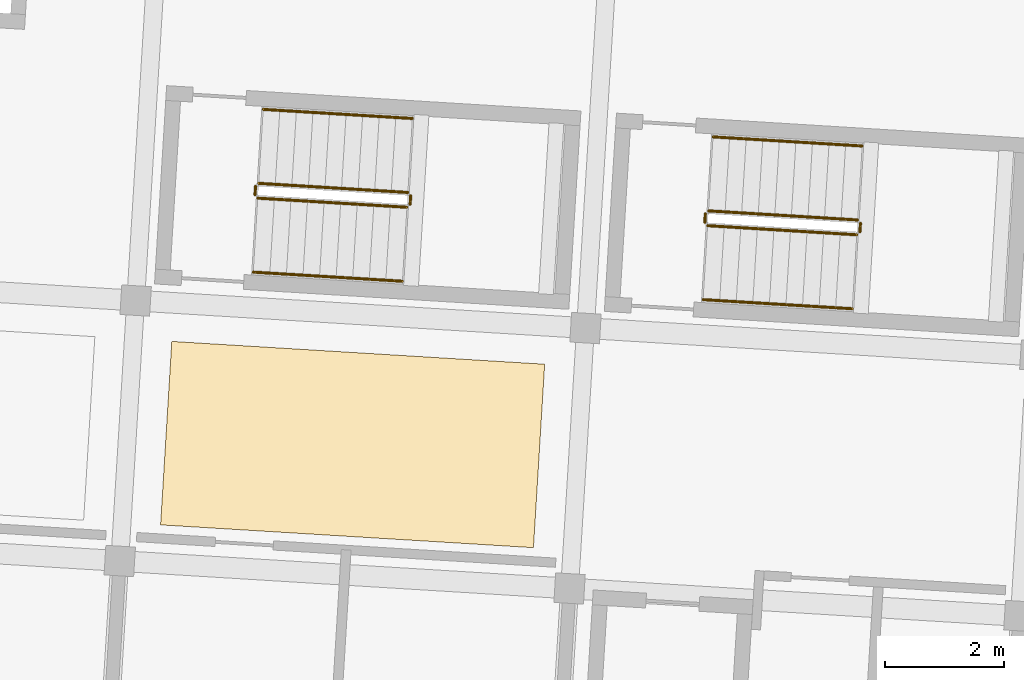
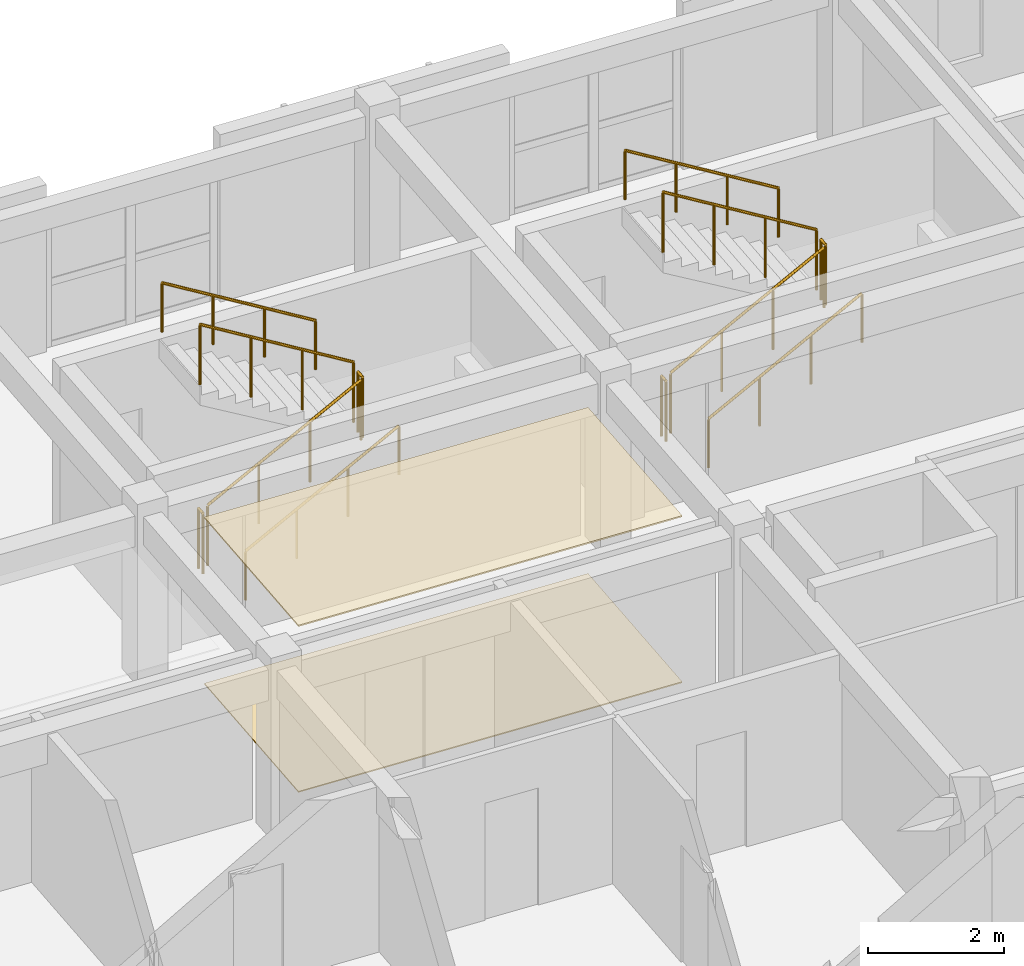
# One storey, part 100 of 127: 12 railings, 2 coverings.
"""IFC4 building model written with IfcOpenShell, lengths in metres."""

from ifc_helpers import new_model, si_unit, direction, frame, origin, origin_2d, place, context, subcontext, project, spatial, polyline, circle, outline, extrude, material, layer, layer_set, type_object, element, save


model = new_model("IFC4")

# Units and contexts
model_context = context("Model", 3, precision=1e-05, world=origin(), true_north=direction((0.0, 1.0)))
body_context = subcontext(model_context, "Body", "Model", "MODEL_VIEW")
ifc_project = project(units=[si_unit("LENGTHUNIT", "METRE"), si_unit("AREAUNIT", "SQUARE_METRE"), si_unit("VOLUMEUNIT", "CUBIC_METRE"), si_unit("PLANEANGLEUNIT", "RADIAN"), si_unit("MASSUNIT", "GRAM", prefix="KILO")], contexts=[model_context])

# Site, building, storey
site_placement = place(None, origin())
site = spatial("IfcSite", under=ifc_project, at=site_placement, CompositionType="ELEMENT")
building_placement = place(site_placement, origin())
building = spatial("IfcBuilding", under=site, at=building_placement, Name="Kestramere Prow Commons", CompositionType="ELEMENT")
storey_placement = place(building_placement, frame((0.0, 0.0, 8.39990234375)))
storey = spatial("IfcBuildingStorey", under=building, at=storey_placement, Name="L02", CompositionType="ELEMENT", Elevation=8.39990234375)

# Coverings
ifc_material_1 = material(Name="Mineral Fibre Acoustic Ceiling Tile")
ifc_layer_1 = layer(ifc_material_1, 0.02490234375)
ifc_layer_set_1 = layer_set([ifc_layer_1], Name="Mineral Fibre Acoustic Ceiling Tile")
covering_type_1 = type_object("IfcCoveringType", Name="COV-CEIL-ACOUSTIC", PredefinedType="CEILING", material=ifc_layer_set_1)
covering_1_placement = place(storey_placement, frame((0.0, 0.0, 2.97509765625)))
element("IfcCovering", 1, at=covering_1_placement, inside=storey, type_object=covering_type_1, Name="Block C L02 Corridor Acoustic Ceiling 2", PredefinedType="CEILING", context=body_context, shape_type="SweptSolid", body=[
    extrude(outline(polyline([(68.23828125, 54.23095703125), (74.526611328125, 53.846435546875), (74.7158203125, 56.940673828125), (68.427490234375, 57.3251953125), (68.23828125, 54.23095703125)])), origin(), (0.0, 0.0, 1.0), 0.02490234375),
])
ifc_material_2 = material(Name="Honed Cementitious Terrazzo Tile")
ifc_layer_2 = layer(ifc_material_2, 0.02001953125)
ifc_layer_set_2 = layer_set([ifc_layer_2], Name="Honed Cementitious Terrazzo Tile")
covering_type_2 = type_object("IfcCoveringType", Name="COV-FLOOR-TERRAZZO", PredefinedType="FLOORING", material=ifc_layer_set_2)
covering_2_placement = place(storey_placement, origin())
element("IfcCovering", 2, at=covering_2_placement, inside=storey, type_object=covering_type_2, Name="Block C L02 Corridor Terrazzo Flooring 2", PredefinedType="FLOORING", context=body_context, shape_type="SweptSolid", body=[
    extrude(outline(polyline([(68.23828125, 54.23095703125), (74.526611328125, 53.846435546875), (74.7158203125, 56.940673828125), (68.427490234375, 57.3251953125), (68.23828125, 54.23095703125)])), origin(), (0.0, 0.0, 1.0), 0.02001953125),
])

# Railings
ifc_material_3 = material(Name="Galvanised Steel S275JR", Category="steel")
railing_type_1 = type_object("IfcRailingType", Name="RL-ST-GR-1100", PredefinedType="GUARDRAIL", material=ifc_material_3)
railing_1_placement = place(storey_placement, frame((69.877685546875, 59.7412109375, 0.16259765625)))
element("IfcRailing", 3, at=railing_1_placement, inside=storey, type_object=railing_type_1, Name="L02 ST-C1 stair guard 1", PredefinedType="GUARDRAIL", context=body_context, shape_type="SweptSolid", body=[
    extrude(circle(Radius=0.02392578125, at=origin_2d()), frame((0.0, 0.0, 1.076171875), z_axis=(0.863306038156, -0.052788780359, 0.501912371984), x_axis=(0.061033243939, 0.998135733823, 0.0)), (0.0, 0.0, 1.0), 2.91357421875),
    extrude(circle(Radius=0.02099609375, at=origin_2d()), origin(), (0.0, 0.0, 1.0), 1.052001953125),
    extrude(circle(Radius=0.02099609375, at=origin_2d()), frame((0.83837890625, -0.05126953125, 0.487548828125)), (0.0, 0.0, 1.0), 1.052001953125),
    extrude(circle(Radius=0.02099609375, at=origin_2d()), frame((1.677001953125, -0.1025390625, 0.974853515625)), (0.0, 0.0, 1.0), 1.052001953125),
    extrude(circle(Radius=0.02099609375, at=origin_2d()), frame((2.515380859375, -0.15380859375, 1.46240234375)), (0.0, 0.0, 1.0), 1.052001953125),
])
railing_2_placement = place(storey_placement, frame((72.446044921875, 59.63427734375, 1.625)))
element("IfcRailing", 4, at=railing_2_placement, inside=storey, type_object=railing_type_1, Name="L02 ST-C1 stair guard 2", PredefinedType="GUARDRAIL", context=body_context, shape_type="SweptSolid", body=[
    extrude(circle(Radius=0.02392578125, at=origin_2d()), frame((0.0, 0.0, 1.076171875), z_axis=(0.060249240593, 0.998183364422, 0.0), x_axis=(-0.998183364422, 0.060249240593, 0.0)), (0.0, 0.0, 1.0), 0.14990234375),
    extrude(circle(Radius=0.02099609375, at=origin_2d()), origin(), (0.0, 0.0, 1.0), 1.052001953125),
    extrude(circle(Radius=0.02099609375, at=origin_2d()), frame((0.009033203125, 0.149658203125, 0.0)), (0.0, 0.0, 1.0), 1.052001953125),
])
railing_3_placement = place(storey_placement, frame((72.408203125, 59.8369140625, 1.78759765625)))
element("IfcRailing", 5, at=railing_3_placement, inside=storey, type_object=railing_type_1, Name="L02 ST-C1 stair guard 3", PredefinedType="GUARDRAIL", context=body_context, shape_type="SweptSolid", body=[
    extrude(circle(Radius=0.02392578125, at=origin_2d()), frame((0.0, 0.0, 1.076171875), z_axis=(-0.863284693866, 0.052792599217, 0.501948681446), x_axis=(-0.061039146275, -0.998135372894, 0.0)), (0.0, 0.0, 1.0), 2.913330078125),
    extrude(circle(Radius=0.02099609375, at=origin_2d()), origin(), (0.0, 0.0, 1.0), 1.052001953125),
    extrude(circle(Radius=0.02099609375, at=origin_2d()), frame((-0.83837890625, 0.05126953125, 0.487548828125)), (0.0, 0.0, 1.0), 1.052001953125),
    extrude(circle(Radius=0.02099609375, at=origin_2d()), frame((-1.6767578125, 0.1025390625, 0.974853515625)), (0.0, 0.0, 1.0), 1.052001953125),
    extrude(circle(Radius=0.02099609375, at=origin_2d()), frame((-2.51513671875, 0.15380859375, 1.46240234375)), (0.0, 0.0, 1.0), 1.052001953125),
])
railing_4_placement = place(storey_placement, frame((69.830810546875, 59.794189453125, 0.0)))
element("IfcRailing", 6, at=railing_4_placement, inside=storey, type_object=railing_type_1, Name="L02 ST-C1 stair guard 4", PredefinedType="GUARDRAIL", context=body_context, shape_type="SweptSolid", body=[
    extrude(circle(Radius=0.02392578125, at=origin_2d()), frame((0.0, 0.0, 1.076171875), z_axis=(0.061871446683, 0.998084126758, 0.0), x_axis=(-0.998084126758, 0.061871446683, 0.0)), (0.0, 0.0, 1.0), 0.14990234375),
    extrude(circle(Radius=0.02099609375, at=origin_2d()), origin(), (0.0, 0.0, 1.0), 1.052001953125),
    extrude(circle(Radius=0.02099609375, at=origin_2d()), frame((0.00927734375, 0.149658203125, 0.0)), (0.0, 0.0, 1.0), 1.052001953125),
])
railing_5_placement = place(storey_placement, frame((77.463623046875, 59.277099609375, 0.16259765625)))
element("IfcRailing", 7, at=railing_5_placement, inside=storey, type_object=railing_type_1, Name="L02 ST-C2 stair guard 1", PredefinedType="GUARDRAIL", context=body_context, shape_type="SweptSolid", body=[
    extrude(circle(Radius=0.02392578125, at=origin_2d()), frame((0.0, 0.0, 1.076171875), z_axis=(0.863284693866, -0.052792599217, 0.501948681446), x_axis=(0.061039146275, 0.998135372894, 0.0)), (0.0, 0.0, 1.0), 2.913330078125),
    extrude(circle(Radius=0.02099609375, at=origin_2d()), origin(), (0.0, 0.0, 1.0), 1.052001953125),
    extrude(circle(Radius=0.02099609375, at=origin_2d()), frame((0.83837890625, -0.05126953125, 0.487548828125)), (0.0, 0.0, 1.0), 1.052001953125),
    extrude(circle(Radius=0.02099609375, at=origin_2d()), frame((1.6767578125, -0.1025390625, 0.974853515625)), (0.0, 0.0, 1.0), 1.052001953125),
    extrude(circle(Radius=0.02099609375, at=origin_2d()), frame((2.51513671875, -0.15380859375, 1.46240234375)), (0.0, 0.0, 1.0), 1.052001953125),
])
railing_6_placement = place(storey_placement, frame((80.03173828125, 59.170166015625, 1.625)))
element("IfcRailing", 8, at=railing_6_placement, inside=storey, type_object=railing_type_1, Name="L02 ST-C2 stair guard 2", PredefinedType="GUARDRAIL", context=body_context, shape_type="SweptSolid", body=[
    extrude(circle(Radius=0.02392578125, at=origin_2d()), frame((0.0, 0.0, 1.076171875), z_axis=(0.061871446683, 0.998084126758, 0.0), x_axis=(-0.998084126758, 0.061871446683, 0.0)), (0.0, 0.0, 1.0), 0.14990234375),
    extrude(circle(Radius=0.02099609375, at=origin_2d()), origin(), (0.0, 0.0, 1.0), 1.052001953125),
    extrude(circle(Radius=0.02099609375, at=origin_2d()), frame((0.00927734375, 0.149658203125, 0.0)), (0.0, 0.0, 1.0), 1.052001953125),
])
railing_7_placement = place(storey_placement, frame((79.994140625, 59.372802734375, 1.78759765625)))
element("IfcRailing", 9, at=railing_7_placement, inside=storey, type_object=railing_type_1, Name="L02 ST-C2 stair guard 3", PredefinedType="GUARDRAIL", context=body_context, shape_type="SweptSolid", body=[
    extrude(circle(Radius=0.02392578125, at=origin_2d()), frame((0.0, 0.0, 1.076171875), z_axis=(-0.863306038156, 0.052788780359, 0.501912371984), x_axis=(-0.061033243939, -0.998135733823, 0.0)), (0.0, 0.0, 1.0), 2.91357421875),
    extrude(circle(Radius=0.02099609375, at=origin_2d()), origin(), (0.0, 0.0, 1.0), 1.052001953125),
    extrude(circle(Radius=0.02099609375, at=origin_2d()), frame((-0.83837890625, 0.05126953125, 0.487548828125)), (0.0, 0.0, 1.0), 1.052001953125),
    extrude(circle(Radius=0.02099609375, at=origin_2d()), frame((-1.677001953125, 0.1025390625, 0.974853515625)), (0.0, 0.0, 1.0), 1.052001953125),
    extrude(circle(Radius=0.02099609375, at=origin_2d()), frame((-2.515380859375, 0.15380859375, 1.46240234375)), (0.0, 0.0, 1.0), 1.052001953125),
])
railing_8_placement = place(storey_placement, frame((77.416748046875, 59.330078125, 0.0)))
element("IfcRailing", 10, at=railing_8_placement, inside=storey, type_object=railing_type_1, Name="L02 ST-C2 stair guard 4", PredefinedType="GUARDRAIL", context=body_context, shape_type="SweptSolid", body=[
    extrude(circle(Radius=0.02392578125, at=origin_2d()), frame((0.0, 0.0, 1.076171875), z_axis=(0.060151470121, 0.998189260933, 0.0), x_axis=(-0.998189260933, 0.060151470121, 0.0)), (0.0, 0.0, 1.0), 0.150146484375),
    extrude(circle(Radius=0.02099609375, at=origin_2d()), origin(), (0.0, 0.0, 1.0), 1.052001953125),
    extrude(circle(Radius=0.02099609375, at=origin_2d()), frame((0.009033203125, 0.14990234375, 0.0)), (0.0, 0.0, 1.0), 1.052001953125),
])
ifc_material_4 = material(Name="Stainless Steel 304", Category="steel")
railing_type_2 = type_object("IfcRailingType", Name="RL-ST-HR-900", PredefinedType="HANDRAIL", material=ifc_material_4)
railing_9_placement = place(storey_placement, frame((69.801513671875, 58.493408203125, 0.3251953125)))
element("IfcRailing", 11, at=railing_9_placement, inside=storey, type_object=railing_type_2, Name="L02 ST-C1 stair handrail 1", PredefinedType="HANDRAIL", context=body_context, shape_type="SweptSolid", body=[
    extrude(circle(Radius=0.02392578125, at=origin_2d()), frame((0.0, 0.0, 0.8759765625), z_axis=(0.863284693866, -0.052792599217, 0.501948681446), x_axis=(0.061039146275, 0.998135372894, 0.0)), (0.0, 0.0, 1.0), 2.913330078125),
    extrude(circle(Radius=0.02099609375, at=origin_2d()), origin(), (0.0, 0.0, 1.0), 0.851806640625),
    extrude(circle(Radius=0.02099609375, at=origin_2d()), frame((0.83837890625, -0.05126953125, 0.487548828125)), (0.0, 0.0, 1.0), 0.851806640625),
    extrude(circle(Radius=0.02099609375, at=origin_2d()), frame((1.6767578125, -0.1025390625, 0.974853515625)), (0.0, 0.0, 1.0), 0.851806640625),
    extrude(circle(Radius=0.02099609375, at=origin_2d()), frame((2.51513671875, -0.15380859375, 1.46240234375)), (0.0, 0.0, 1.0), 0.851806640625),
])
railing_10_placement = place(storey_placement, frame((72.484619140625, 61.08447265625, 1.9501953125)))
element("IfcRailing", 12, at=railing_10_placement, inside=storey, type_object=railing_type_2, Name="L02 ST-C1 stair handrail 2", PredefinedType="HANDRAIL", context=body_context, shape_type="SweptSolid", body=[
    extrude(circle(Radius=0.02392578125, at=origin_2d()), frame((0.0, 0.0, 0.8759765625), z_axis=(-0.863306038156, 0.052788780359, 0.501912371984), x_axis=(-0.061033243939, -0.998135733823, 0.0)), (0.0, 0.0, 1.0), 2.91357421875),
    extrude(circle(Radius=0.02099609375, at=origin_2d()), origin(), (0.0, 0.0, 1.0), 0.851806640625),
    extrude(circle(Radius=0.02099609375, at=origin_2d()), frame((-0.83837890625, 0.05126953125, 0.487548828125)), (0.0, 0.0, 1.0), 0.851806640625),
    extrude(circle(Radius=0.02099609375, at=origin_2d()), frame((-1.677001953125, 0.1025390625, 0.974853515625)), (0.0, 0.0, 1.0), 0.851806640625),
    extrude(circle(Radius=0.02099609375, at=origin_2d()), frame((-2.515380859375, 0.15380859375, 1.46240234375)), (0.0, 0.0, 1.0), 0.851806640625),
])
railing_11_placement = place(storey_placement, frame((77.38720703125, 58.029541015625, 0.3251953125)))
element("IfcRailing", 13, at=railing_11_placement, inside=storey, type_object=railing_type_2, Name="L02 ST-C2 stair handrail 1", PredefinedType="HANDRAIL", context=body_context, shape_type="SweptSolid", body=[
    extrude(circle(Radius=0.02392578125, at=origin_2d()), frame((0.0, 0.0, 0.8759765625), z_axis=(0.863306038156, -0.052788780359, 0.501912371984), x_axis=(0.061033243939, 0.998135733823, 0.0)), (0.0, 0.0, 1.0), 2.91357421875),
    extrude(circle(Radius=0.02099609375, at=origin_2d()), origin(), (0.0, 0.0, 1.0), 0.851806640625),
    extrude(circle(Radius=0.02099609375, at=origin_2d()), frame((0.83837890625, -0.05126953125, 0.487548828125)), (0.0, 0.0, 1.0), 0.851806640625),
    extrude(circle(Radius=0.02099609375, at=origin_2d()), frame((1.677001953125, -0.1025390625, 0.974853515625)), (0.0, 0.0, 1.0), 0.851806640625),
    extrude(circle(Radius=0.02099609375, at=origin_2d()), frame((2.515380859375, -0.15380859375, 1.46240234375)), (0.0, 0.0, 1.0), 0.851806640625),
])
railing_12_placement = place(storey_placement, frame((80.0703125, 60.62060546875, 1.9501953125)))
element("IfcRailing", 14, at=railing_12_placement, inside=storey, type_object=railing_type_2, Name="L02 ST-C2 stair handrail 2", PredefinedType="HANDRAIL", context=body_context, shape_type="SweptSolid", body=[
    extrude(circle(Radius=0.02392578125, at=origin_2d()), frame((0.0, 0.0, 0.8759765625), z_axis=(-0.863284693866, 0.052792599217, 0.501948681446), x_axis=(-0.061039146275, -0.998135372894, 0.0)), (0.0, 0.0, 1.0), 2.913330078125),
    extrude(circle(Radius=0.02099609375, at=origin_2d()), origin(), (0.0, 0.0, 1.0), 0.851806640625),
    extrude(circle(Radius=0.02099609375, at=origin_2d()), frame((-0.83837890625, 0.05126953125, 0.487548828125)), (0.0, 0.0, 1.0), 0.851806640625),
    extrude(circle(Radius=0.02099609375, at=origin_2d()), frame((-1.6767578125, 0.1025390625, 0.974853515625)), (0.0, 0.0, 1.0), 0.851806640625),
    extrude(circle(Radius=0.02099609375, at=origin_2d()), frame((-2.51513671875, 0.15380859375, 1.46240234375)), (0.0, 0.0, 1.0), 0.851806640625),
])

save(model, "model.ifc")
